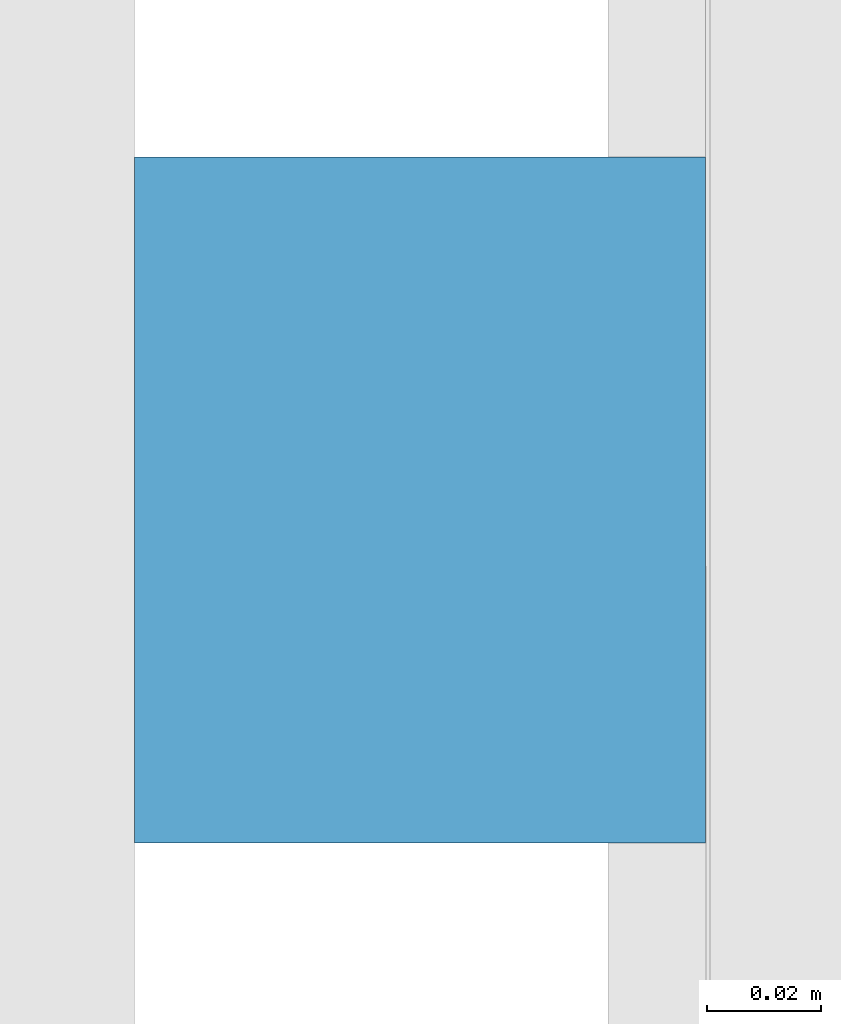
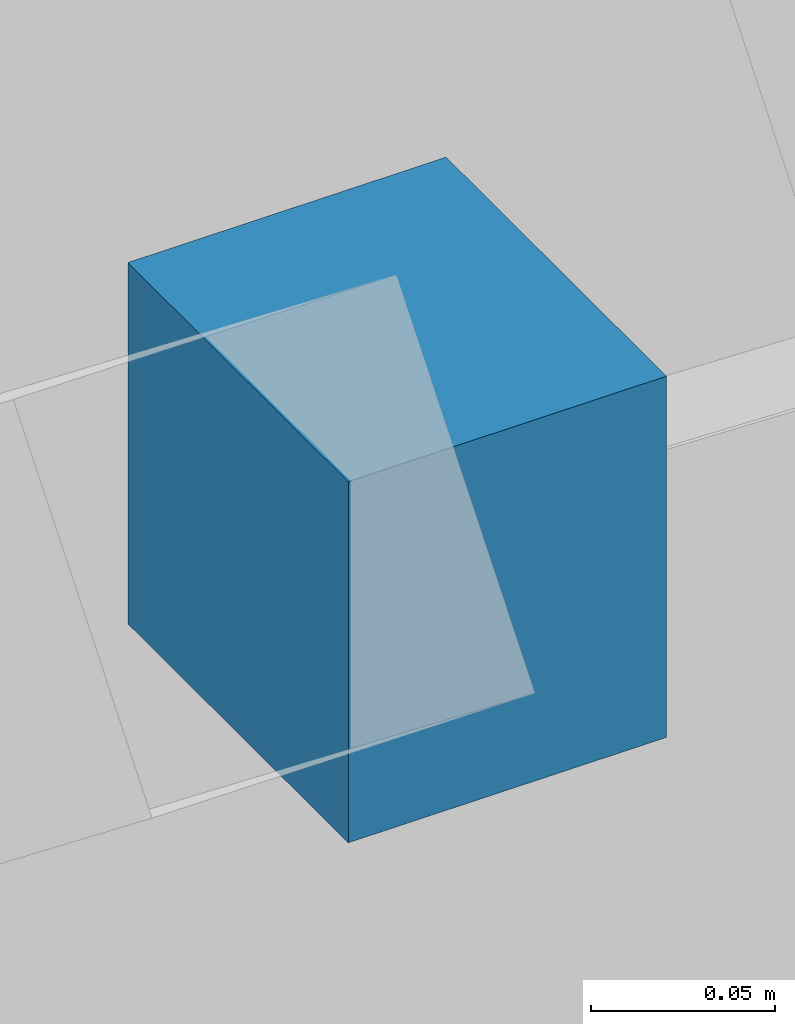
# One storey, part 24 of 27: 1 discrete accessory.
"""IFC4 building model written with IfcOpenShell, lengths in metres."""

from ifc_helpers import new_model, si_unit, direction, frame, origin, origin_2d, place, context, subcontext, project, spatial, rectangle, extrude, material, type_object, element, save


model = new_model("IFC4")

# Units and contexts
model_context = context("Model", 3, precision=1e-05, world=origin(), true_north=direction((0.0, 1.0)))
body_context = subcontext(model_context, "Body", "Model", "MODEL_VIEW")
ifc_project = project(units=[si_unit("LENGTHUNIT", "METRE"), si_unit("AREAUNIT", "SQUARE_METRE"), si_unit("VOLUMEUNIT", "CUBIC_METRE"), si_unit("PLANEANGLEUNIT", "RADIAN"), si_unit("MASSUNIT", "GRAM", prefix="KILO")], contexts=[model_context])

# Site, building, storey
site_placement = place(None, origin())
site = spatial("IfcSite", under=ifc_project, at=site_placement, CompositionType="ELEMENT")
building_placement = place(site_placement, origin())
building = spatial("IfcBuilding", under=site, at=building_placement, Name="Crosswind Convention Tower", CompositionType="ELEMENT")
storey_placement = place(building_placement, frame((0.0, 0.0, 83.10009765625)))
storey = spatial("IfcBuildingStorey", under=building, at=storey_placement, Name="L15", CompositionType="ELEMENT", Elevation=83.10009765625)

# Discrete accessory
ifc_material = material(Name="Stainless steel", Category="steel")
discrete_accessory_type = type_object("IfcDiscreteAccessoryType", Name="BAGUETTE BRACKET BK2", PredefinedType="BRACKET", material=ifc_material)
discrete_accessory_placement = place(storey_placement, frame((88.092041015625, 110.333740234375, 1.477294921875), z_axis=(0.0, 0.0, 1.0), x_axis=(0.0, -1.0, 0.0)))
element("IfcDiscreteAccessory", 1, at=discrete_accessory_placement, inside=storey, type_object=discrete_accessory_type, Name="BK2 baguette bracket", PredefinedType="BRACKET", context=body_context, shape_type="SweptSolid", body=[
    extrude(rectangle(XDim=0.1201171875, YDim=0.10009765625, at=origin_2d()), origin(), (0.0, 0.0, 1.0), 0.1201171875),
])

save(model, "model.ifc")
